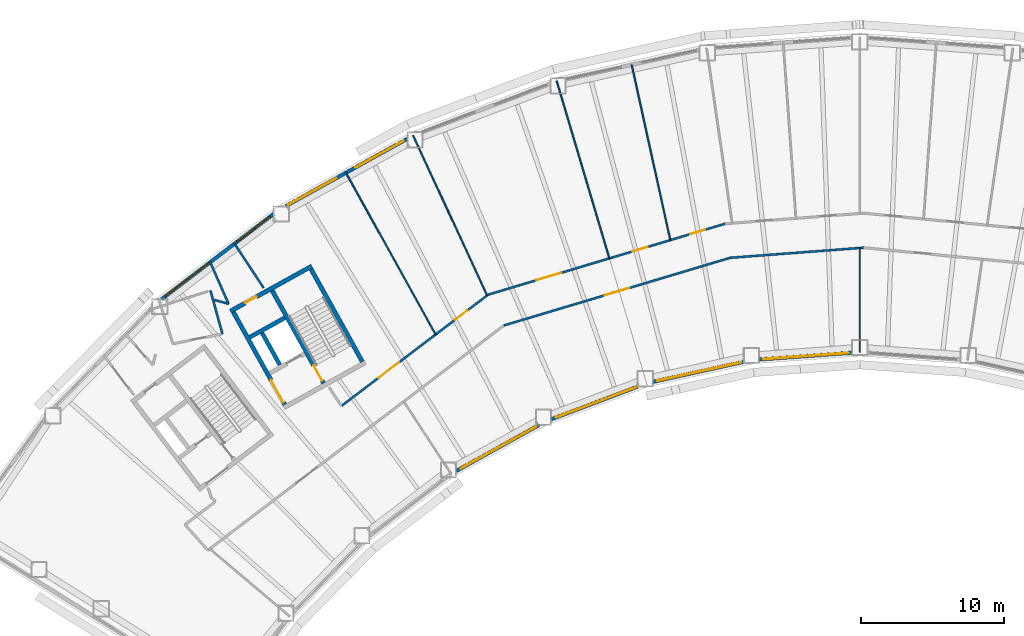
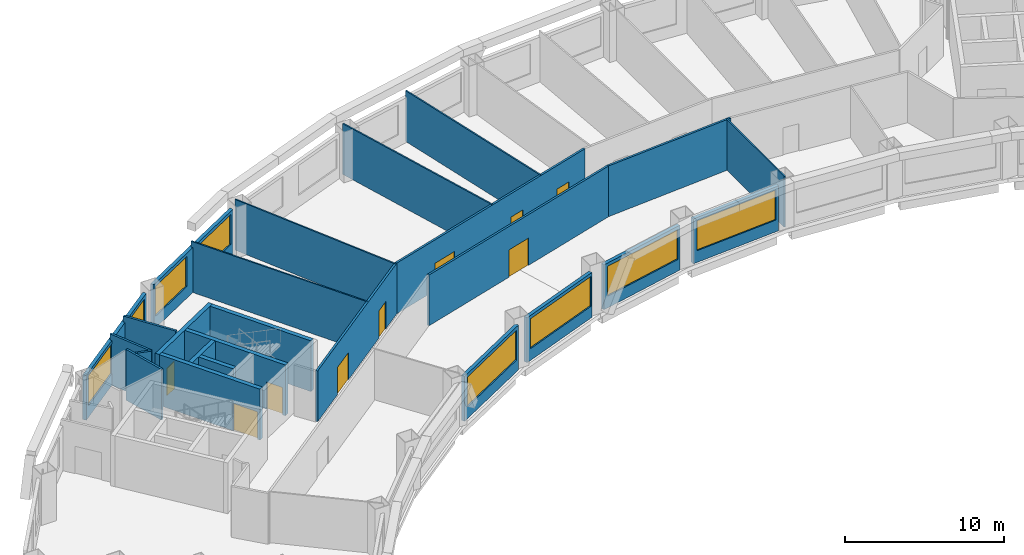
# One storey, part 4 of 11: 25 walls, 9 doors, 8 windows, 17 openings.
"""IFC4 building model written with IfcOpenShell, lengths in metres."""

from ifc_helpers import new_model, si_unit, direction, frame, frame_2d, origin, place, context, subcontext, project, spatial, rectangle, extrude, material, layer, layer_set, type_object, element, fill, save


model = new_model("IFC4")

# Units and contexts
model_context = context("Model", 3, precision=1e-05, world=origin(), true_north=direction((0.0, 1.0)))
body_context = subcontext(model_context, "Body", "Model", "MODEL_VIEW")
ifc_project = project(units=[si_unit("LENGTHUNIT", "METRE"), si_unit("AREAUNIT", "SQUARE_METRE"), si_unit("VOLUMEUNIT", "CUBIC_METRE"), si_unit("PLANEANGLEUNIT", "RADIAN"), si_unit("MASSUNIT", "GRAM", prefix="KILO")], contexts=[model_context])

# Site, building, storey
site_placement = place(None, origin())
site = spatial("IfcSite", under=ifc_project, at=site_placement, CompositionType="ELEMENT")
building_placement = place(site_placement, origin())
building = spatial("IfcBuilding", under=site, at=building_placement, Name="Tuul Gate Civic Tower", CompositionType="ELEMENT")
storey_placement = place(building_placement, frame((0.0, 0.0, 120.300048828125)))
storey = spatial("IfcBuildingStorey", under=building, at=storey_placement, Name="Level 27", CompositionType="ELEMENT", Elevation=120.300048828125)

# Wall
ifc_material_1 = material(Name="Concrete C50/60", Category="concrete")
ifc_layer_1 = layer(ifc_material_1, 0.300048828125)
ifc_layer_set_1 = layer_set([ifc_layer_1], Name="Concrete C50/60")
wall_type_1 = type_object("IfcWallType", Name="Core wall C50/60", PredefinedType="SHEAR", material=ifc_layer_set_1)
wall_1_placement = place(storey_placement, frame((-30.327392578125, -5.59716796875, 0.0), z_axis=(0.0, 0.0, 1.0), x_axis=(-0.874629840737, -0.484791338301, 0.0)))
element("IfcWall", 1, at=wall_1_placement, inside=storey, type_object=wall_type_1, Name="Core wall", PredefinedType="SHEAR", context=body_context, shape_type="SweptSolid", body=[
    extrude(rectangle(XDim=2.800048828125, YDim=0.300048828125, at=frame_2d((1.39990234375, 0.0))), origin(), (0.0, 0.0, 1.0), 3.89990234375),
])

# Wall, opening, door
wall_2_placement = place(storey_placement, frame((-28.4443359375, -1.98095703125, 0.0), z_axis=(0.0, 0.0, 1.0), x_axis=(-0.874629909008, -0.484791215132, 0.0)))
wall_2 = element("IfcWall", 2, at=wall_2_placement, inside=storey, type_object=wall_type_1, Name="Core wall", PredefinedType="SHEAR", context=body_context, shape_type="SweptSolid", body=[
    extrude(rectangle(XDim=6.5, YDim=0.300048828125, at=frame_2d((3.25, 0.0))), origin(), (0.0, 0.0, 1.0), 3.89990234375),
])
opening_1_placement = place(wall_2_placement, frame((4.425048828125, 0.0, 0.0)))
opening_1 = element("IfcOpeningElement", 3, at=opening_1_placement, cuts=wall_2, Name="Opening I-D26", PredefinedType="OPENING", context=body_context, shape_type="SweptSolid", body=[
    extrude(rectangle(XDim=0.89990234375, YDim=2.10009765625, at=frame_2d((0.449951171875, 1.050048828125))), frame((0.0, 0.16015625, 0.0), z_axis=(0.0, -1.0, 0.0), x_axis=(1.0, 0.0, 0.0)), (0.0, 0.0, 1.0), 0.320068359375),
])
ifc_material_2 = material(Name="Timber door leaf", Category="wood")
door_type_1 = type_object("IfcDoorType", Name="Door D09", OperationType="NOTDEFINED", PredefinedType="DOOR", material=ifc_material_2)
door_1_placement = place(opening_1_placement, origin())
door_1 = element("IfcDoor", 4, at=door_1_placement, inside=storey, type_object=door_type_1, Name="Door I-D26", OperationType="SINGLE_SWING_LEFT", OverallHeight=2.10009765625, OverallWidth=0.89990234375, PredefinedType="DOOR", context=body_context, shape_type="SweptSolid", body=[
    extrude(rectangle(XDim=0.89990234375, YDim=2.10009765625, at=frame_2d((0.449951171875, 1.050048828125))), frame((0.0, 0.02490234375, 0.0), z_axis=(0.0, -1.0, 0.0), x_axis=(1.0, 0.0, 0.0)), (0.0, 0.0, 1.0), 0.050048828125),
])
fill(opening_1, door_1)

# Wall
wall_3_placement = place(storey_placement, frame((-24.91552734375, -8.6572265625, 0.0), z_axis=(0.0, 0.0, 1.0), x_axis=(-0.484777133038, 0.874637714304, 0.0)))
element("IfcWall", 5, at=wall_3_placement, inside=storey, type_object=wall_type_1, Name="Core wall", PredefinedType="SHEAR", context=body_context, shape_type="SweptSolid", body=[
    extrude(rectangle(XDim=7.400146484375, YDim=0.300048828125, at=frame_2d((3.7001953125, 0.0))), origin(), (0.0, 0.0, 1.0), 3.89990234375),
])

# Wall, opening, door
wall_4_placement = place(storey_placement, frame((-27.626953125, -10.16015625, 0.0), z_axis=(0.0, 0.0, 1.0), x_axis=(-0.484751894226, 0.874651702704, 0.0)))
wall_4 = element("IfcWall", 6, at=wall_4_placement, inside=storey, type_object=wall_type_1, Name="Core wall", PredefinedType="SHEAR", context=body_context, shape_type="SweptSolid", body=[
    extrude(rectangle(XDim=7.39990234375, YDim=0.300048828125, at=frame_2d((3.699951171875, 0.0))), origin(), (0.0, 0.0, 1.0), 3.89990234375),
])
opening_2_placement = place(wall_4_placement, frame((0.199951171875, 0.0, 0.0)))
opening_2 = element("IfcOpeningElement", 7, at=opening_2_placement, cuts=wall_4, Name="Opening SD-ST-2", PredefinedType="OPENING", context=body_context, shape_type="SweptSolid", body=[
    extrude(rectangle(XDim=1.199951171875, YDim=2.10009765625, at=frame_2d((0.60009765625, 1.050048828125))), frame((0.0, 0.16015625, 0.0), z_axis=(0.0, -1.0, 0.0), x_axis=(1.0, 0.0, 0.0)), (0.0, 0.0, 1.0), 0.320068359375),
])
ifc_material_3 = material(Name="Steel", Category="steel")
door_type_2 = type_object("IfcDoorType", Name="Stair door", OperationType="NOTDEFINED", PredefinedType="DOOR", material=ifc_material_3)
door_2_placement = place(opening_2_placement, origin())
door_2 = element("IfcDoor", 8, at=door_2_placement, inside=storey, type_object=door_type_2, Name="Stair door ST-2", OperationType="SINGLE_SWING_LEFT", OverallHeight=2.10009765625, OverallWidth=1.199951171875, PredefinedType="DOOR", context=body_context, shape_type="SweptSolid", body=[
    extrude(rectangle(XDim=1.199951171875, YDim=2.10009765625, at=frame_2d((0.60009765625, 1.050048828125))), frame((0.0, 0.02490234375, 0.0), z_axis=(0.0, -1.0, 0.0), x_axis=(1.0, 0.0, 0.0)), (0.0, 0.0, 1.0), 0.050048828125),
])
fill(opening_2, door_2)

# Wall
wall_5_placement = place(storey_placement, frame((-30.680419921875, -8.8798828125, 0.0), z_axis=(0.0, 0.0, 1.0), x_axis=(-0.484724115216, 0.874667097888, 0.0)))
element("IfcWall", 9, at=wall_5_placement, inside=storey, type_object=wall_type_1, Name="Core wall", PredefinedType="SHEAR", context=body_context, shape_type="SweptSolid", body=[
    extrude(rectangle(XDim=2.550048828125, YDim=0.300048828125, at=frame_2d((1.27490234375, 0.0))), origin(), (0.0, 0.0, 1.0), 3.89990234375),
])

# Wall, opening, door
wall_6_placement = place(storey_placement, frame((-30.33837890625, -11.6630859375, 0.0), z_axis=(0.0, 0.0, 1.0), x_axis=(-0.484751894226, 0.874651702704, 0.0)))
wall_6 = element("IfcWall", 10, at=wall_6_placement, inside=storey, type_object=wall_type_1, Name="Core wall", PredefinedType="SHEAR", context=body_context, shape_type="SweptSolid", body=[
    extrude(rectangle(XDim=7.39990234375, YDim=0.300048828125, at=frame_2d((3.699951171875, 0.0))), origin(), (0.0, 0.0, 1.0), 3.89990234375),
])
opening_3_placement = place(wall_6_placement, frame((0.175048828125, 0.0, 0.0)))
opening_3 = element("IfcOpeningElement", 11, at=opening_3_placement, cuts=wall_6, Name="Opening LB-W2-FLOBBY-1", PredefinedType="OPENING", context=body_context, shape_type="SweptSolid", body=[
    extrude(rectangle(XDim=1.800048828125, YDim=2.10009765625, at=frame_2d((0.89990234375, 1.050048828125))), frame((0.0, 0.16015625, 0.0), z_axis=(0.0, -1.0, 0.0), x_axis=(1.0, 0.0, 0.0)), (0.0, 0.0, 1.0), 0.320068359375),
])
ifc_material_4 = material(Name="Steel", Category="steel")
door_type_3 = type_object("IfcDoorType", Name="Lobby door", OperationType="DOUBLE_DOOR_SINGLE_SWING", PredefinedType="DOOR", material=ifc_material_4)
door_3_placement = place(opening_3_placement, frame((1.800048828125, 0.0, 0.0), z_axis=(0.0, 0.0, 1.0), x_axis=(-1.0, 0.0, 0.0)))
door_3 = element("IfcDoor", 12, at=door_3_placement, inside=storey, type_object=door_type_3, Name="Lobby door W2-FLOBBY", OperationType="DOUBLE_DOOR_SINGLE_SWING", OverallHeight=2.10009765625, OverallWidth=1.800048828125, PredefinedType="DOOR", context=body_context, shape_type="SweptSolid", body=[
    extrude(rectangle(XDim=1.800048828125, YDim=2.10009765625, at=frame_2d((0.900146484375, 1.050048828125))), frame((0.0, 0.02490234375, 0.0), z_axis=(0.0, -1.0, 0.0), x_axis=(1.0, 0.0, 0.0)), (0.0, 0.0, 1.0), 0.050048828125),
])
fill(opening_3, door_3)

# Wall, openings, doors
ifc_material_5 = material(Name="Gypsum board partition")
ifc_layer_2 = layer(ifc_material_5, 0.14990234375)
ifc_layer_set_2 = layer_set([ifc_layer_2], Name="Gypsum board partition")
wall_type_2 = type_object("IfcWallType", Name="Corridor wall P150", PredefinedType="PARTITIONING", material=ifc_layer_set_2)
wall_7_placement = place(storey_placement, frame((-16.12744140625, -3.9775390625, 0.0), z_axis=(0.0, 0.0, 1.0), x_axis=(0.957976676309, 0.286846104467, 0.0)))
wall_7 = element("IfcWall", 13, at=wall_7_placement, inside=storey, type_object=wall_type_2, Name="p059", PredefinedType="PARTITIONING", context=body_context, shape_type="SweptSolid", body=[
    extrude(rectangle(XDim=17.276123046875, YDim=0.14990234375, at=frame_2d((8.63818359375, 0.0))), origin(), (0.0, 0.0, 1.0), 3.89990234375),
])
opening_4_placement = place(wall_7_placement, frame((14.728515625, 0.0, 0.0)))
opening_4 = element("IfcOpeningElement", 14, at=opening_4_placement, cuts=wall_7, Name="Opening I-D12", PredefinedType="OPENING", context=body_context, shape_type="SweptSolid", body=[
    extrude(rectangle(XDim=1.10009765625, YDim=2.10009765625, at=frame_2d((0.550048828125, 1.050048828125))), frame((0.0, 0.0849609375, 0.0), z_axis=(0.0, -1.0, 0.0), x_axis=(1.0, 0.0, 0.0)), (0.0, 0.0, 1.0), 0.169921875),
])
opening_5_placement = place(wall_7_placement, frame((10.51025390625, 0.0, 0.0)))
opening_5 = element("IfcOpeningElement", 15, at=opening_5_placement, cuts=wall_7, Name="Opening I-D13", PredefinedType="OPENING", context=body_context, shape_type="SweptSolid", body=[
    extrude(rectangle(XDim=1.10009765625, YDim=2.10009765625, at=frame_2d((0.550048828125, 1.050048828125))), frame((0.0, 0.0849609375, 0.0), z_axis=(0.0, -1.0, 0.0), x_axis=(1.0, 0.0, 0.0)), (0.0, 0.0, 1.0), 0.169921875),
])
opening_6_placement = place(wall_7_placement, frame((3.519775390625, 0.0, 0.0)))
opening_6 = element("IfcOpeningElement", 16, at=opening_6_placement, cuts=wall_7, Name="Opening I-D141", PredefinedType="OPENING", context=body_context, shape_type="SweptSolid", body=[
    extrude(rectangle(XDim=1.800048828125, YDim=2.10009765625, at=frame_2d((0.89990234375, 1.050048828125))), frame((0.0, 0.0849609375, 0.0), z_axis=(0.0, -1.0, 0.0), x_axis=(1.0, 0.0, 0.0)), (0.0, 0.0, 1.0), 0.169921875),
])
ifc_material_6 = material(Name="Timber door leaf", Category="wood")
door_type_4 = type_object("IfcDoorType", Name="Door D11", OperationType="NOTDEFINED", PredefinedType="DOOR", material=ifc_material_6)
door_4_placement = place(opening_4_placement, origin())
door_4 = element("IfcDoor", 17, at=door_4_placement, inside=storey, type_object=door_type_4, Name="Door I-D12", OperationType="SINGLE_SWING_LEFT", OverallHeight=2.10009765625, OverallWidth=1.10009765625, PredefinedType="DOOR", context=body_context, shape_type="SweptSolid", body=[
    extrude(rectangle(XDim=1.10009765625, YDim=2.10009765625, at=frame_2d((0.550048828125, 1.050048828125))), frame((0.0, 0.02490234375, 0.0), z_axis=(0.0, -1.0, 0.0), x_axis=(1.0, 0.0, 0.0)), (0.0, 0.0, 1.0), 0.050048828125),
])
fill(opening_4, door_4)
door_5_placement = place(opening_5_placement, origin())
door_5 = element("IfcDoor", 18, at=door_5_placement, inside=storey, type_object=door_type_4, Name="Door I-D13", OperationType="SINGLE_SWING_RIGHT", OverallHeight=2.10009765625, OverallWidth=1.10009765625, PredefinedType="DOOR", context=body_context, shape_type="SweptSolid", body=[
    extrude(rectangle(XDim=1.10009765625, YDim=2.10009765625, at=frame_2d((0.550048828125, 1.050048828125))), frame((0.0, 0.02490234375, 0.0), z_axis=(0.0, -1.0, 0.0), x_axis=(1.0, 0.0, 0.0)), (0.0, 0.0, 1.0), 0.050048828125),
])
fill(opening_5, door_5)
ifc_material_7 = material(Name="Timber door leaf, double", Category="wood")
door_type_5 = type_object("IfcDoorType", Name="Door D18", OperationType="DOUBLE_DOOR_SINGLE_SWING", PredefinedType="DOOR", material=ifc_material_7)
door_6_placement = place(opening_6_placement, origin())
door_6 = element("IfcDoor", 19, at=door_6_placement, inside=storey, type_object=door_type_5, Name="Door I-D14", OperationType="DOUBLE_DOOR_SINGLE_SWING", OverallHeight=2.10009765625, OverallWidth=1.800048828125, PredefinedType="DOOR", context=body_context, shape_type="SweptSolid", body=[
    extrude(rectangle(XDim=1.800048828125, YDim=2.10009765625, at=frame_2d((0.89990234375, 1.050048828125))), frame((0.0, 0.02490234375, 0.0), z_axis=(0.0, -1.0, 0.0), x_axis=(1.0, 0.0, 0.0)), (0.0, 0.0, 1.0), 0.050048828125),
])
fill(opening_6, door_6)

wall_8_placement = place(storey_placement, frame((-26.359130859375, -11.739501953125, 0.0), z_axis=(0.0, 0.0, 1.0), x_axis=(0.796684326041, 0.604395635855, 0.0)))
wall_8 = element("IfcWall", 20, at=wall_8_placement, inside=storey, type_object=wall_type_2, Name="p063", PredefinedType="PARTITIONING", context=body_context, shape_type="SweptSolid", body=[
    extrude(rectangle(XDim=12.84130859375, YDim=0.14990234375, at=frame_2d((6.420654296875, 0.0))), origin(), (0.0, 0.0, 1.0), 3.89990234375),
])
opening_7_placement = place(wall_8_placement, frame((9.944091796875, 0.0, 0.0)))
opening_7 = element("IfcOpeningElement", 21, at=opening_7_placement, cuts=wall_8, Name="Opening I-D15", PredefinedType="OPENING", context=body_context, shape_type="SweptSolid", body=[
    extrude(rectangle(XDim=1.10009765625, YDim=2.10009765625, at=frame_2d((0.550048828125, 1.050048828125))), frame((0.0, 0.0849609375, 0.0), z_axis=(0.0, -1.0, 0.0), x_axis=(1.0, 0.0, 0.0)), (0.0, 0.0, 1.0), 0.169921875),
])
opening_8_placement = place(wall_8_placement, frame((3.21728515625, 0.0, 0.0)))
opening_8 = element("IfcOpeningElement", 22, at=opening_8_placement, cuts=wall_8, Name="Opening I-D161", PredefinedType="OPENING", context=body_context, shape_type="SweptSolid", body=[
    extrude(rectangle(XDim=1.800048828125, YDim=2.10009765625, at=frame_2d((0.89990234375, 1.050048828125))), frame((0.0, 0.0849609375, 0.0), z_axis=(0.0, -1.0, 0.0), x_axis=(1.0, 0.0, 0.0)), (0.0, 0.0, 1.0), 0.169921875),
])
door_7_placement = place(opening_7_placement, origin())
door_7 = element("IfcDoor", 23, at=door_7_placement, inside=storey, type_object=door_type_4, Name="Door I-D15", OperationType="SINGLE_SWING_RIGHT", OverallHeight=2.10009765625, OverallWidth=1.10009765625, PredefinedType="DOOR", context=body_context, shape_type="SweptSolid", body=[
    extrude(rectangle(XDim=1.10009765625, YDim=2.10009765625, at=frame_2d((0.550048828125, 1.050048828125))), frame((0.0, 0.02490234375, 0.0), z_axis=(0.0, -1.0, 0.0), x_axis=(1.0, 0.0, 0.0)), (0.0, 0.0, 1.0), 0.050048828125),
])
fill(opening_7, door_7)
door_8_placement = place(opening_8_placement, origin())
door_8 = element("IfcDoor", 24, at=door_8_placement, inside=storey, type_object=door_type_5, Name="Door I-D16", OperationType="DOUBLE_DOOR_SINGLE_SWING", OverallHeight=2.10009765625, OverallWidth=1.800048828125, PredefinedType="DOOR", context=body_context, shape_type="SweptSolid", body=[
    extrude(rectangle(XDim=1.800048828125, YDim=2.10009765625, at=frame_2d((0.89990234375, 1.050048828125))), frame((0.0, 0.02490234375, 0.0), z_axis=(0.0, -1.0, 0.0), x_axis=(1.0, 0.0, 0.0)), (0.0, 0.0, 1.0), 0.050048828125),
])
fill(opening_8, door_8)

# Walls
wall_9_placement = place(storey_placement, frame((-33.846923828125, -0.413818359375, 0.0), z_axis=(0.0, 0.0, 1.0), x_axis=(0.550184759277, -0.835042951386, 0.0)))
element("IfcWall", 25, at=wall_9_placement, inside=storey, type_object=wall_type_2, Name="p065", PredefinedType="PARTITIONING", context=body_context, shape_type="SweptSolid", body=[
    extrude(rectangle(XDim=3.699951171875, YDim=0.14990234375, at=frame_2d((1.85009765625, 0.0))), origin(), (0.0, 0.0, 1.0), 3.89990234375),
])
wall_10_placement = place(storey_placement, frame((0.7783203125, -1.40185546875, 0.0), z_axis=(0.0, 0.0, 1.0), x_axis=(0.997138563909, 0.075595531385, 0.0)))
element("IfcWall", 26, at=wall_10_placement, inside=storey, type_object=wall_type_2, Name="p082", PredefinedType="PARTITIONING", context=body_context, shape_type="SweptSolid", body=[
    extrude(rectangle(XDim=9.326904296875, YDim=0.14990234375, at=frame_2d((4.66357421875, 0.0))), origin(), (0.0, 0.0, 1.0), 3.89990234375),
])

# Wall, opening, door
wall_11_placement = place(storey_placement, frame((-15.030029296875, -6.128662109375, 0.0), z_axis=(0.0, 0.0, 1.0), x_axis=(0.958087744717, 0.286474908889, 0.0)))
wall_11 = element("IfcWall", 27, at=wall_11_placement, inside=storey, type_object=wall_type_2, Name="p084", PredefinedType="PARTITIONING", context=body_context, shape_type="SweptSolid", body=[
    extrude(rectangle(XDim=16.5, YDim=0.14990234375, at=frame_2d((8.25, 0.0))), origin(), (0.0, 0.0, 1.0), 3.89990234375),
])
opening_9_placement = place(wall_11_placement, frame((7.349853515625, 0.0, 0.0)))
opening_9 = element("IfcOpeningElement", 28, at=opening_9_placement, cuts=wall_11, Name="Opening I-D211", PredefinedType="OPENING", context=body_context, shape_type="SweptSolid", body=[
    extrude(rectangle(XDim=1.800048828125, YDim=2.10009765625, at=frame_2d((0.89990234375, 1.050048828125))), frame((0.0, 0.0849609375, 0.0), z_axis=(0.0, -1.0, 0.0), x_axis=(1.0, 0.0, 0.0)), (0.0, 0.0, 1.0), 0.169921875),
])
door_9_placement = place(opening_9_placement, frame((1.800048828125, 0.0, 0.0), z_axis=(0.0, 0.0, 1.0), x_axis=(-1.0, 0.0, 0.0)))
door_9 = element("IfcDoor", 29, at=door_9_placement, inside=storey, type_object=door_type_5, Name="Door I-D21", OperationType="DOUBLE_DOOR_SINGLE_SWING", OverallHeight=2.10009765625, OverallWidth=1.800048828125, PredefinedType="DOOR", context=body_context, shape_type="SweptSolid", body=[
    extrude(rectangle(XDim=1.800048828125, YDim=2.10009765625, at=frame_2d((0.900146484375, 1.050048828125))), frame((0.0, 0.02490234375, 0.0), z_axis=(0.0, -1.0, 0.0), x_axis=(1.0, 0.0, 0.0)), (0.0, 0.0, 1.0), 0.050048828125),
])
fill(opening_9, door_9)

# Walls
wall_12_placement = place(storey_placement, frame((-35.525634765625, -3.687744140625, 0.0), z_axis=(0.0, 0.0, 1.0), x_axis=(0.266309745364, -0.963887503563, 0.0)))
element("IfcWall", 30, at=wall_12_placement, inside=storey, type_object=wall_type_2, Name="p091", PredefinedType="PARTITIONING", context=body_context, shape_type="SweptSolid", body=[
    extrude(rectangle(XDim=3.1435546875, YDim=0.14990234375, at=frame_2d((1.57177734375, 0.0))), origin(), (0.0, 0.0, 1.0), 3.89990234375),
])
wall_13_placement = place(storey_placement, frame((-35.261962890625, -4.3408203125, 0.0), z_axis=(0.0, 0.0, 1.0), x_axis=(0.962978625791, -0.269577755516, 0.0)))
element("IfcWall", 31, at=wall_13_placement, inside=storey, type_object=wall_type_2, Name="p092", PredefinedType="PARTITIONING", context=body_context, shape_type="SweptSolid", body=[
    extrude(rectangle(XDim=1.04150390625, YDim=0.14990234375, at=frame_2d((0.520751953125, 0.0))), origin(), (0.0, 0.0, 1.0), 3.89990234375),
])
wall_14_placement = place(storey_placement, frame((-35.54248046875, -1.704833984375, 0.0), z_axis=(0.0, 0.0, 1.0), x_axis=(0.402759154078, -0.91530599463, 0.0)))
element("IfcWall", 32, at=wall_14_placement, inside=storey, type_object=wall_type_2, Name="p093", PredefinedType="PARTITIONING", context=body_context, shape_type="SweptSolid", body=[
    extrude(rectangle(XDim=3.1865234375, YDim=0.14990234375, at=frame_2d((1.59326171875, 0.0))), origin(), (0.0, 0.0, 1.0), 3.89990234375),
])

# Wall, openings, windows
ifc_material_8 = material(Name="Precast concrete C40/50", Category="concrete")
ifc_layer_3 = layer(ifc_material_8, 0.25)
ifc_layer_set_3 = layer_set([ifc_layer_3], Name="Precast concrete C40/50")
wall_type_3 = type_object("IfcWallType", Name="External wall", PredefinedType="STANDARD", material=ifc_layer_set_3)
wall_15_placement = place(storey_placement, frame((-21.784912109375, 6.907470703125, 0.0), z_axis=(0.0, 0.0, 1.0), x_axis=(-0.874619623874, -0.484809770461, 0.0)))
wall_15 = element("IfcWall", 33, at=wall_15_placement, inside=storey, type_object=wall_type_3, Name="External wall", PredefinedType="STANDARD", context=body_context, shape_type="SweptSolid", body=[
    extrude(rectangle(XDim=9.680908203125, YDim=0.25, at=frame_2d((4.84033203125, 0.0))), origin(), (0.0, 0.0, 1.0), 3.449951171875),
])
opening_10_placement = place(wall_15_placement, frame((0.279541015625, 0.0, 0.89990234375)))
opening_10 = element("IfcOpeningElement", 34, at=opening_10_placement, cuts=wall_15, Name="Opening W22", PredefinedType="OPENING", context=body_context, shape_type="SweptSolid", body=[
    extrude(rectangle(XDim=3.85009765625, YDim=2.300048828125, at=frame_2d((1.925048828125, 1.14990234375))), frame((0.0, 0.135009765625, 0.0), z_axis=(0.0, -1.0, 0.0), x_axis=(1.0, 0.0, 0.0)), (0.0, 0.0, 1.0), 0.27001953125),
])
opening_11_placement = place(wall_15_placement, frame((5.650634765625, 0.0, 0.89990234375)))
opening_11 = element("IfcOpeningElement", 35, at=opening_11_placement, cuts=wall_15, Name="Opening W22", PredefinedType="OPENING", context=body_context, shape_type="SweptSolid", body=[
    extrude(rectangle(XDim=3.85009765625, YDim=2.300048828125, at=frame_2d((1.925048828125, 1.14990234375))), frame((0.0, 0.135009765625, 0.0), z_axis=(0.0, -1.0, 0.0), x_axis=(1.0, 0.0, 0.0)), (0.0, 0.0, 1.0), 0.27001953125),
])
ifc_material_9 = material(Name="Glass", Category="glass")
window_type_1 = type_object("IfcWindowType", Name="Window W22 3850 x 2300", PartitioningType="SINGLE_PANEL", PredefinedType="WINDOW", material=ifc_material_9)
window_1_placement = place(opening_10_placement, origin())
window_1 = element("IfcWindow", 36, at=window_1_placement, inside=storey, type_object=window_type_1, Name="Window", OverallHeight=2.300048828125, OverallWidth=3.85009765625, PartitioningType="SINGLE_PANEL", PredefinedType="WINDOW", context=body_context, shape_type="SweptSolid", body=[
    extrude(rectangle(XDim=3.85009765625, YDim=2.300048828125, at=frame_2d((1.925048828125, 1.14990234375))), frame((0.0, 0.030029296875, 0.0), z_axis=(0.0, -1.0, 0.0), x_axis=(1.0, 0.0, 0.0)), (0.0, 0.0, 1.0), 0.06005859375),
])
fill(opening_10, window_1)
window_2_placement = place(opening_11_placement, origin())
window_2 = element("IfcWindow", 37, at=window_2_placement, inside=storey, type_object=window_type_1, Name="Window", OverallHeight=2.300048828125, OverallWidth=3.85009765625, PartitioningType="SINGLE_PANEL", PredefinedType="WINDOW", context=body_context, shape_type="SweptSolid", body=[
    extrude(rectangle(XDim=3.85009765625, YDim=2.300048828125, at=frame_2d((1.925048828125, 1.14990234375))), frame((0.0, 0.030029296875, 0.0), z_axis=(0.0, -1.0, 0.0), x_axis=(1.0, 0.0, 0.0)), (0.0, 0.0, 1.0), 0.06005859375),
])
fill(opening_11, window_2)

wall_16_placement = place(storey_placement, frame((-31.1240234375, 1.6533203125, 0.0), z_axis=(0.0, 0.0, 1.0), x_axis=(-0.795624100522, -0.605790632701, 0.0)))
wall_16 = element("IfcWall", 38, at=wall_16_placement, inside=storey, type_object=wall_type_3, Name="External wall", PredefinedType="STANDARD", context=body_context, shape_type="SweptSolid", body=[
    extrude(rectangle(XDim=9.8154296875, YDim=0.25, at=frame_2d((4.90771484375, 0.0))), origin(), (0.0, 0.0, 1.0), 3.449951171875),
])
opening_12_placement = place(wall_16_placement, frame((5.65478515625, 0.0, 0.89990234375)))
opening_12 = element("IfcOpeningElement", 39, at=opening_12_placement, cuts=wall_16, Name="Opening W22", PredefinedType="OPENING", context=body_context, shape_type="SweptSolid", body=[
    extrude(rectangle(XDim=3.85009765625, YDim=2.300048828125, at=frame_2d((1.925048828125, 1.14990234375))), frame((0.0, 0.135009765625, 0.0), z_axis=(0.0, -1.0, 0.0), x_axis=(1.0, 0.0, 0.0)), (0.0, 0.0, 1.0), 0.27001953125),
])
opening_13_placement = place(wall_16_placement, frame((0.30126953125, 0.0, 0.89990234375)))
opening_13 = element("IfcOpeningElement", 40, at=opening_13_placement, cuts=wall_16, Name="Opening W39", PredefinedType="OPENING", context=body_context, shape_type="SweptSolid", body=[
    extrude(rectangle(XDim=2.89990234375, YDim=2.300048828125, at=frame_2d((1.449951171875, 1.14990234375))), frame((0.0, 0.135009765625, 0.0), z_axis=(0.0, -1.0, 0.0), x_axis=(1.0, 0.0, 0.0)), (0.0, 0.0, 1.0), 0.27001953125),
])
ifc_material_10 = material(Name="Glass", Category="glass")
window_type_2 = type_object("IfcWindowType", Name="Window 2900 x 2300", PartitioningType="SINGLE_PANEL", PredefinedType="WINDOW", material=ifc_material_10)
window_3_placement = place(opening_13_placement, origin())
window_3 = element("IfcWindow", 41, at=window_3_placement, inside=storey, type_object=window_type_2, Name="Window", OverallHeight=2.300048828125, OverallWidth=2.89990234375, PartitioningType="SINGLE_PANEL", PredefinedType="WINDOW", context=body_context, shape_type="SweptSolid", body=[
    extrude(rectangle(XDim=2.89990234375, YDim=2.300048828125, at=frame_2d((1.449951171875, 1.14990234375))), frame((0.0, 0.030029296875, 0.0), z_axis=(0.0, -1.0, 0.0), x_axis=(1.0, 0.0, 0.0)), (0.0, 0.0, 1.0), 0.06005859375),
])
fill(opening_13, window_3)
window_4_placement = place(opening_12_placement, origin())
window_4 = element("IfcWindow", 42, at=window_4_placement, inside=storey, type_object=window_type_1, Name="Window", OverallHeight=2.300048828125, OverallWidth=3.85009765625, PartitioningType="SINGLE_PANEL", PredefinedType="WINDOW", context=body_context, shape_type="SweptSolid", body=[
    extrude(rectangle(XDim=3.85009765625, YDim=2.300048828125, at=frame_2d((1.925048828125, 1.14990234375))), frame((0.0, 0.030029296875, 0.0), z_axis=(0.0, -1.0, 0.0), x_axis=(1.0, 0.0, 0.0)), (0.0, 0.0, 1.0), 0.06005859375),
])
fill(opening_12, window_4)

# Wall, opening, window
wall_17_placement = place(storey_placement, frame((-18.347900390625, -16.2841796875, 0.0), z_axis=(0.0, 0.0, 1.0), x_axis=(0.874603961928, 0.484838024272, 0.0)))
wall_17 = element("IfcWall", 43, at=wall_17_placement, inside=storey, type_object=wall_type_3, Name="External wall", PredefinedType="STANDARD", context=body_context, shape_type="SweptSolid", body=[
    extrude(rectangle(XDim=6.594482421875, YDim=0.25, at=frame_2d((3.29736328125, 0.0))), origin(), (0.0, 0.0, 1.0), 3.449951171875),
])
opening_14_placement = place(wall_17_placement, frame((0.34765625, 0.0, 0.89990234375)))
opening_14 = element("IfcOpeningElement", 44, at=opening_14_placement, cuts=wall_17, Name="Opening W26", PredefinedType="OPENING", context=body_context, shape_type="SweptSolid", body=[
    extrude(rectangle(XDim=6.0, YDim=2.300048828125, at=frame_2d((3.0, 1.14990234375))), frame((0.0, 0.135009765625, 0.0), z_axis=(0.0, -1.0, 0.0), x_axis=(1.0, 0.0, 0.0)), (0.0, 0.0, 1.0), 0.27001953125),
])
ifc_material_11 = material(Name="Glass", Category="glass")
window_type_3 = type_object("IfcWindowType", Name="Window W26 6000 x 2300", PartitioningType="SINGLE_PANEL", PredefinedType="WINDOW", material=ifc_material_11)
window_5_placement = place(opening_14_placement, origin())
window_5 = element("IfcWindow", 45, at=window_5_placement, inside=storey, type_object=window_type_3, Name="Window", OverallHeight=2.300048828125, OverallWidth=6.0, PartitioningType="SINGLE_PANEL", PredefinedType="WINDOW", context=body_context, shape_type="SweptSolid", body=[
    extrude(rectangle(XDim=6.0, YDim=2.300048828125, at=frame_2d((3.0, 1.14990234375))), frame((0.0, 0.030029296875, 0.0), z_axis=(0.0, -1.0, 0.0), x_axis=(1.0, 0.0, 0.0)), (0.0, 0.0, 1.0), 0.06005859375),
])
fill(opening_14, window_5)

wall_18_placement = place(storey_placement, frame((-11.7080078125, -12.67626953125, 0.0), z_axis=(0.0, 0.0, 1.0), x_axis=(0.935366053459, 0.353681136106, 0.0)))
wall_18 = element("IfcWall", 46, at=wall_18_placement, inside=storey, type_object=wall_type_3, Name="External wall", PredefinedType="STANDARD", context=body_context, shape_type="SweptSolid", body=[
    extrude(rectangle(XDim=6.429931640625, YDim=0.25, at=frame_2d((3.21484375, 0.0))), origin(), (0.0, 0.0, 1.0), 3.449951171875),
])
opening_15_placement = place(wall_18_placement, frame((0.3310546875, 0.0, 0.89990234375)))
opening_15 = element("IfcOpeningElement", 47, at=opening_15_placement, cuts=wall_18, Name="Opening W26", PredefinedType="OPENING", context=body_context, shape_type="SweptSolid", body=[
    extrude(rectangle(XDim=6.0, YDim=2.300048828125, at=frame_2d((3.0, 1.14990234375))), frame((0.0, 0.135009765625, 0.0), z_axis=(0.0, -1.0, 0.0), x_axis=(1.0, 0.0, 0.0)), (0.0, 0.0, 1.0), 0.27001953125),
])
window_6_placement = place(opening_15_placement, origin())
window_6 = element("IfcWindow", 48, at=window_6_placement, inside=storey, type_object=window_type_3, Name="Window", OverallHeight=2.300048828125, OverallWidth=6.0, PartitioningType="SINGLE_PANEL", PredefinedType="WINDOW", context=body_context, shape_type="SweptSolid", body=[
    extrude(rectangle(XDim=6.0, YDim=2.300048828125, at=frame_2d((3.0, 1.14990234375))), frame((0.0, 0.030029296875, 0.0), z_axis=(0.0, -1.0, 0.0), x_axis=(1.0, 0.0, 0.0)), (0.0, 0.0, 1.0), 0.06005859375),
])
fill(opening_15, window_6)

wall_19_placement = place(storey_placement, frame((-4.60693359375, -10.063232421875, 0.0), z_axis=(0.0, 0.0, 1.0), x_axis=(0.976562304854, 0.215234905949, 0.0)))
wall_19 = element("IfcWall", 49, at=wall_19_placement, inside=storey, type_object=wall_type_3, Name="External wall", PredefinedType="STANDARD", context=body_context, shape_type="SweptSolid", body=[
    extrude(rectangle(XDim=6.465576171875, YDim=0.25, at=frame_2d((3.23291015625, 0.0))), origin(), (0.0, 0.0, 1.0), 3.449951171875),
])
opening_16_placement = place(wall_19_placement, frame((0.304443359375, 0.0, 0.89990234375)))
opening_16 = element("IfcOpeningElement", 50, at=opening_16_placement, cuts=wall_19, Name="Opening W26", PredefinedType="OPENING", context=body_context, shape_type="SweptSolid", body=[
    extrude(rectangle(XDim=6.0, YDim=2.300048828125, at=frame_2d((3.0, 1.14990234375))), frame((0.0, 0.135009765625, 0.0), z_axis=(0.0, -1.0, 0.0), x_axis=(1.0, 0.0, 0.0)), (0.0, 0.0, 1.0), 0.27001953125),
])
window_7_placement = place(opening_16_placement, origin())
window_7 = element("IfcWindow", 51, at=window_7_placement, inside=storey, type_object=window_type_3, Name="Window", OverallHeight=2.300048828125, OverallWidth=6.0, PartitioningType="SINGLE_PANEL", PredefinedType="WINDOW", context=body_context, shape_type="SweptSolid", body=[
    extrude(rectangle(XDim=6.0, YDim=2.300048828125, at=frame_2d((3.0, 1.14990234375))), frame((0.0, 0.030029296875, 0.0), z_axis=(0.0, -1.0, 0.0), x_axis=(1.0, 0.0, 0.0)), (0.0, 0.0, 1.0), 0.06005859375),
])
fill(opening_16, window_7)

wall_20_placement = place(storey_placement, frame((2.806884765625, -8.503662109375, 0.0), z_axis=(0.0, 0.0, 1.0), x_axis=(0.997392965156, 0.072161437464, 0.0)))
wall_20 = element("IfcWall", 52, at=wall_20_placement, inside=storey, type_object=wall_type_3, Name="External wall", PredefinedType="STANDARD", context=body_context, shape_type="SweptSolid", body=[
    extrude(rectangle(XDim=6.489013671875, YDim=0.25, at=frame_2d((3.24462890625, 0.0))), origin(), (0.0, 0.0, 1.0), 3.449951171875),
])
opening_17_placement = place(wall_20_placement, frame((0.26806640625, 0.0, 0.89990234375)))
opening_17 = element("IfcOpeningElement", 53, at=opening_17_placement, cuts=wall_20, Name="Opening W26", PredefinedType="OPENING", context=body_context, shape_type="SweptSolid", body=[
    extrude(rectangle(XDim=6.0, YDim=2.300048828125, at=frame_2d((3.0, 1.14990234375))), frame((0.0, 0.135009765625, 0.0), z_axis=(0.0, -1.0, 0.0), x_axis=(1.0, 0.0, 0.0)), (0.0, 0.0, 1.0), 0.27001953125),
])
window_8_placement = place(opening_17_placement, origin())
window_8 = element("IfcWindow", 54, at=window_8_placement, inside=storey, type_object=window_type_3, Name="Window", OverallHeight=2.300048828125, OverallWidth=6.0, PartitioningType="SINGLE_PANEL", PredefinedType="WINDOW", context=body_context, shape_type="SweptSolid", body=[
    extrude(rectangle(XDim=6.0, YDim=2.300048828125, at=frame_2d((3.0, 1.14990234375))), frame((0.0, 0.030029296875, 0.0), z_axis=(0.0, -1.0, 0.0), x_axis=(1.0, 0.0, 0.0)), (0.0, 0.0, 1.0), 0.06005859375),
])
fill(opening_17, window_8)

# Walls
ifc_material_12 = material(Name="Gypsum board partition")
ifc_layer_4 = layer(ifc_material_12, 0.10009765625)
ifc_layer_set_4 = layer_set([ifc_layer_4], Name="Gypsum board partition")
wall_type_4 = type_object("IfcWallType", Name="Partition P100", PredefinedType="PARTITIONING", material=ifc_layer_set_4)
wall_21_placement = place(storey_placement, frame((9.828857421875, -8.000732421875, 0.0), z_axis=(0.0, 0.0, 1.0), x_axis=(0.0, 1.0, 0.0)))
element("IfcWall", 55, at=wall_21_placement, inside=storey, type_object=wall_type_4, Name="p053", PredefinedType="PARTITIONING", context=body_context, shape_type="SweptSolid", body=[
    extrude(rectangle(XDim=7.284912109375, YDim=0.10009765625, at=frame_2d((3.642578125, 0.0))), origin(), (0.0, 0.0, 1.0), 3.89990234375),
])
wall_22_placement = place(storey_placement, frame((-6.105224609375, 12.087890625, 0.0), z_axis=(0.0, 0.0, 1.0), x_axis=(0.215218410671, -0.976565940277, 0.0)))
element("IfcWall", 56, at=wall_22_placement, inside=storey, type_object=wall_type_4, Name="p058", PredefinedType="PARTITIONING", context=body_context, shape_type="SweptSolid", body=[
    extrude(rectangle(XDim=12.5498046875, YDim=0.10009765625, at=frame_2d((6.27490234375, 0.0))), origin(), (0.0, 0.0, 1.0), 3.89990234375),
])
wall_23_placement = place(storey_placement, frame((-11.342041015625, 10.93359375, 0.0), z_axis=(0.0, 0.0, 1.0), x_axis=(0.285213478603, -0.958464016864, 0.0)))
element("IfcWall", 57, at=wall_23_placement, inside=storey, type_object=wall_type_4, Name="p060", PredefinedType="PARTITIONING", context=body_context, shape_type="SweptSolid", body=[
    extrude(rectangle(XDim=12.911865234375, YDim=0.10009765625, at=frame_2d((6.4560546875, 0.0))), origin(), (0.0, 0.0, 1.0), 3.89990234375),
])
wall_24_placement = place(storey_placement, frame((-21.374267578125, 7.140869140625, 0.0), z_axis=(0.0, 0.0, 1.0), x_axis=(0.420365460489, -0.907354880754, 0.0)))
element("IfcWall", 58, at=wall_24_placement, inside=storey, type_object=wall_type_4, Name="p061", PredefinedType="PARTITIONING", context=body_context, shape_type="SweptSolid", body=[
    extrude(rectangle(XDim=12.3125, YDim=0.10009765625, at=frame_2d((6.15625, 0.0))), origin(), (0.0, 0.0, 1.0), 3.89990234375),
])
wall_25_placement = place(storey_placement, frame((-26.064453125, 4.541015625, 0.0), z_axis=(0.0, 0.0, 1.0), x_axis=(0.484810273801, -0.874619344868, 0.0)))
element("IfcWall", 59, at=wall_25_placement, inside=storey, type_object=wall_type_4, Name="p064", PredefinedType="PARTITIONING", context=body_context, shape_type="SweptSolid", body=[
    extrude(rectangle(XDim=12.923828125, YDim=0.10009765625, at=frame_2d((6.4619140625, 0.0))), origin(), (0.0, 0.0, 1.0), 3.89990234375),
])

save(model, "model.ifc")
